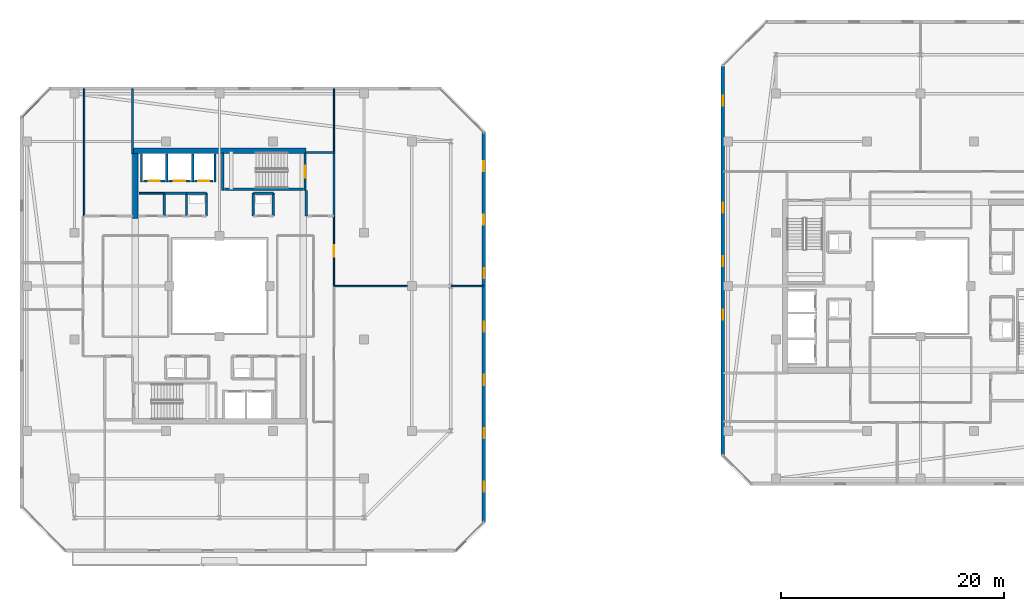
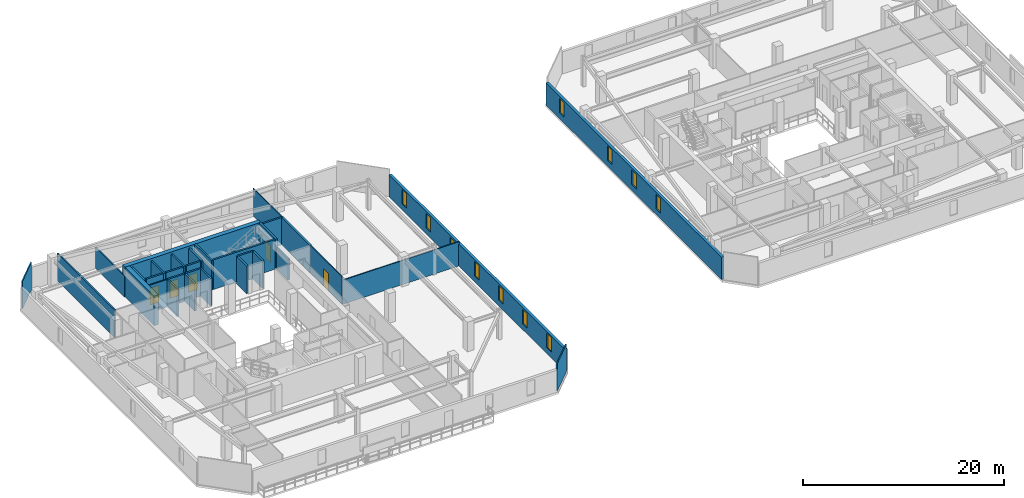
# One storey, part 23 of 34: 33 walls, 11 windows, 5 doors, 16 openings.
"""IFC4 building model written with IfcOpenShell, lengths in metres."""

import ifcopenshell
import ifcopenshell.guid

model = None  # the IFC model being written
_history = None  # IfcOwnerHistory: only IFC2X3 demands one
_inside = {}  # id of a spatial element -> (the spatial element, [elements in it])
_under = {}  # id of a project, library or spatial element -> (it, [spatial elements below it])
_declared = {}  # id of a project -> (the project, [libraries it declares])
_typed = {}  # id of a type object -> (the type object, [elements of that type])
_made_of = {}  # id of a material, layer set ... -> (it, [elements and type objects made of it])


def new_model(schema):
    """Start an empty IFC model of exactly this schema.

    Asked for "IFC4X3", IfcOpenShell would pick the latest addendum, in which some entities
    have other attributes; the version numbers below select the first issue.
    IFC2X3 requires an IfcOwnerHistory on every rooted entity: one is made here for all.
    """
    global model, _history
    if schema == "IFC4X3":
        model = ifcopenshell.file(schema_version=(4, 3, 0, 0))
    else:
        model = ifcopenshell.file(schema=schema)
    _inside.clear()
    _under.clear()
    _declared.clear()
    _typed.clear()
    _made_of.clear()
    _history = None
    if model.schema == "IFC2X3":
        org = make("IfcOrganization", Name="unknown")
        user = make(
            "IfcPersonAndOrganization",
            ThePerson=make("IfcPerson", FamilyName="unknown"),
            TheOrganization=org,
        )
        app = make(
            "IfcApplication",
            ApplicationDeveloper=org,
            Version="unknown",
            ApplicationFullName="unknown",
            ApplicationIdentifier="unknown",
        )
        _history = make(
            "IfcOwnerHistory",
            OwningUser=user,
            OwningApplication=app,
            ChangeAction="ADDED",
            CreationDate=0,
        )
    return model


def make(cls, **values):
    """One entity of the class cls with the attributes given. An attribute that is None is left unset."""
    return model.create_entity(
        cls, **{name: value for name, value in values.items() if value is not None}
    )


def rooted(cls, **values):
    """An entity with a GlobalId (a new one), such as an element, a storey or a relation."""
    return make(cls, GlobalId=ifcopenshell.guid.new(), OwnerHistory=_history, **values)


def si_unit(unit_type, name, prefix=None):
    """IfcSIUnit, for example si_unit("LENGTHUNIT", "METRE", prefix="MILLI")."""
    return make("IfcSIUnit", UnitType=unit_type, Prefix=prefix, Name=name)


def assignment(units):
    """IfcUnitAssignment: the units of a project."""
    return None if units is None else make("IfcUnitAssignment", Units=units)


def point(xyz):
    """IfcCartesianPoint."""
    return None if xyz is None else make("IfcCartesianPoint", Coordinates=xyz)


def direction(xyz):
    """IfcDirection."""
    return None if xyz is None else make("IfcDirection", DirectionRatios=xyz)


def frame(location, z_axis=None, x_axis=None):
    """IfcAxis2Placement3D, a coordinate frame: its origin and axes. An axis left out is left unset."""
    return make(
        "IfcAxis2Placement3D",
        Location=point(location),
        Axis=direction(z_axis),
        RefDirection=direction(x_axis),
    )


def frame_2d(location, x_axis=None):
    """IfcAxis2Placement2D, a coordinate frame in the plane: its origin and x axis."""
    return make(
        "IfcAxis2Placement2D", Location=point(location), RefDirection=direction(x_axis)
    )


def origin():
    """The frame at (0, 0, 0) with its axes left unset."""
    return frame((0.0, 0.0, 0.0))


def place(relative_to, where):
    """IfcLocalPlacement: puts the frame where relative to a parent placement (None: the world)."""
    return make(
        "IfcLocalPlacement", PlacementRelTo=relative_to, RelativePlacement=where
    )


def context(
    kind, dimensions, precision=None, world=None, true_north=None, identifier=None
):
    """IfcGeometricRepresentationContext, for example the 3D "Model" context."""
    return make(
        "IfcGeometricRepresentationContext",
        ContextIdentifier=identifier,
        ContextType=kind,
        CoordinateSpaceDimension=dimensions,
        Precision=precision,
        WorldCoordinateSystem=world,
        TrueNorth=true_north,
    )


def subcontext(parent, identifier, kind, view, scale=None):
    """IfcGeometricRepresentationSubContext, for example "Body" below "Model"."""
    return make(
        "IfcGeometricRepresentationSubContext",
        ContextIdentifier=identifier,
        ContextType=kind,
        ParentContext=parent,
        TargetScale=scale,
        TargetView=view,
    )


def project(units=None, contexts=None):
    """IfcProject with its units and contexts."""
    return rooted(
        "IfcProject",
        Name="project",
        RepresentationContexts=contexts,
        UnitsInContext=assignment(units),
    )


def spatial(cls, under=None, at=None, **own):
    """A site, building, storey or space (cls), placed at a placement, below another one or the project."""
    s = rooted(cls, ObjectPlacement=at, **own)
    if under is not None:
        _under.setdefault(under.id(), (under, []))[1].append(s)
    return s


def profile(cls, at=None, kind="AREA", **sizes):
    """A parametric profile (cls). Its sizes go by their IFC names, for example OverallWidth=200.0."""
    return make(cls, ProfileType=kind, Position=at, **sizes)


def rectangle(**sizes):
    """IfcRectangleProfileDef."""
    return profile("IfcRectangleProfileDef", **sizes)


def extrude(swept, where, along, depth):
    """IfcExtrudedAreaSolid: the profile swept, set in the frame where, extruded along a direction by depth."""
    return make(
        "IfcExtrudedAreaSolid",
        SweptArea=swept,
        Position=where,
        ExtrudedDirection=direction(along),
        Depth=depth,
    )


def shape(context_of_items, identifier, shape_type, items):
    """IfcShapeRepresentation: the items that make up one representation, for example the "Body"."""
    return make(
        "IfcShapeRepresentation",
        ContextOfItems=context_of_items,
        RepresentationIdentifier=identifier,
        RepresentationType=shape_type,
        Items=items,
    )


def material(Name=None, Category=None):
    """IfcMaterial."""
    return make("IfcMaterial", Name=Name, Category=Category)


def layer(
    of_material, thickness, ventilated=None, Name=None, Category=None, Priority=None
):
    """IfcMaterialLayer: one layer of a wall or slab, of a material (None: an air gap)."""
    return make(
        "IfcMaterialLayer",
        Material=of_material,
        LayerThickness=thickness,
        IsVentilated=ventilated,
        Name=Name,
        Category=Category,
        Priority=Priority,
    )


def layer_set(layers, Name=None):
    """IfcMaterialLayerSet."""
    return make("IfcMaterialLayerSet", MaterialLayers=layers, LayerSetName=Name)


def made_of(thing, what):
    """Note that an element or type object is made of a material, layer set ...; save() writes the relation."""
    if what is not None:
        _made_of.setdefault(what.id(), (what, []))[1].append(thing)
    return thing


def type_object(cls, material=None, **own):
    """A type object (cls), such as IfcWallType, which elements share."""
    return made_of(rooted(cls, **own), material)


def element(
    cls,
    number,
    at=None,
    inside=None,
    cuts=None,
    type_object=None,
    material=None,
    context=None,
    identifier="Body",
    shape_type=None,
    held_by="IfcProductDefinitionShape",
    body=None,
    shapes=None,
    **own,
):
    """One element of the class cls, such as IfcWall. Its Tag is "e" and its number.

    at: its placement. inside: the storey or other place that contains it. cuts: it is an
    opening in that element (IfcRelVoidsElement). A single representation is given by context,
    identifier, shape_type and body (its items); several are given by shapes. held_by: the class
    of the entity that holds the representations. save() writes the other relations.
    """
    e = rooted(cls, Tag="e%d" % number, ObjectPlacement=at, **own)
    if body is not None:
        shapes = [shape(context, identifier, shape_type, body)]
    if shapes is not None:
        e.Representation = make(held_by, Representations=shapes)
    if inside is not None:
        _inside.setdefault(inside.id(), (inside, []))[1].append(e)
    if cuts is not None:
        rooted(
            "IfcRelVoidsElement", RelatingBuildingElement=cuts, RelatedOpeningElement=e
        )
    if type_object is not None:
        _typed.setdefault(type_object.id(), (type_object, []))[1].append(e)
    return made_of(e, material)


def fill(opening, filler):
    """IfcRelFillsElement: the door or window that sits in an opening."""
    return rooted(
        "IfcRelFillsElement",
        RelatingOpeningElement=opening,
        RelatedBuildingElement=filler,
    )


def aggregate(whole, parts):
    """IfcRelAggregates: a whole, such as a stair, and the parts it consists of."""
    return rooted("IfcRelAggregates", RelatingObject=whole, RelatedObjects=parts)


def save(model, path):
    """Write the relations noted so far, then the file.

    IfcRelAggregates (storeys below a building ...), IfcRelContainedInSpatialStructure (elements
    in a storey), IfcRelDefinesByType, IfcRelAssociatesMaterial and IfcRelDeclares: one each for
    every whole, place, type object, material and project.
    """
    for whole, parts in _under.values():
        aggregate(whole, parts)
    for where, things in _inside.values():
        rooted(
            "IfcRelContainedInSpatialStructure",
            RelatedElements=things,
            RelatingStructure=where,
        )
    for kind, things in _typed.values():
        rooted("IfcRelDefinesByType", RelatedObjects=things, RelatingType=kind)
    for what, things in _made_of.values():
        rooted("IfcRelAssociatesMaterial", RelatedObjects=things, RelatingMaterial=what)
    for by, libraries in _declared.values():
        rooted("IfcRelDeclares", RelatingContext=by, RelatedDefinitions=libraries)
    model.write(path)


model = new_model("IFC4")

# Units and contexts
model_context = context("Model", 3, precision=1e-05, world=origin(), true_north=direction((0.0, 1.0)))
body_context = subcontext(model_context, "Body", "Model", "MODEL_VIEW")
ifc_project = project(units=[si_unit("LENGTHUNIT", "METRE"), si_unit("AREAUNIT", "SQUARE_METRE"), si_unit("VOLUMEUNIT", "CUBIC_METRE"), si_unit("PLANEANGLEUNIT", "RADIAN"), si_unit("MASSUNIT", "GRAM", prefix="KILO")], contexts=[model_context])

# Site, building, storey
site_placement = place(None, origin())
site = spatial("IfcSite", under=ifc_project, at=site_placement, CompositionType="ELEMENT")
building_placement = place(site_placement, origin())
building = spatial("IfcBuilding", under=site, at=building_placement, Name="Thornwick Lancets Civic Towers", CompositionType="ELEMENT")
storey_placement = place(building_placement, frame((0.0, 0.0, 258.300048828125)))
storey = spatial("IfcBuildingStorey", under=building, at=storey_placement, Name="L69", CompositionType="ELEMENT", Elevation=258.300048828125)

# Wall, opening, door
ifc_material_1 = material(Name="Concrete blockwork C40/50", Category="masonry")
ifc_layer_1 = layer(ifc_material_1, 0.199951171875, Name="Concrete blockwork C40/50")
ifc_layer_set_1 = layer_set([ifc_layer_1], Name="Concrete blockwork C40/50")
wall_type_1 = type_object("IfcWallType", Name="WALL_COMP_200", PredefinedType="STANDARD", material=ifc_layer_set_1)
wall_1_placement = place(storey_placement, frame((24.919921875, 36.449951171875, 0.0), z_axis=(0.0, 0.0, 1.0), x_axis=(-1.0, 0.0, 0.0)))
wall_1 = element("IfcWall", 1, at=wall_1_placement, inside=storey, type_object=wall_type_1, Name="L69 Hoistway Front Wall FL-A2", PredefinedType="STANDARD", context=body_context, shape_type="SweptSolid", body=[
    extrude(rectangle(XDim=1.639892578125, YDim=0.199951171875, at=frame_2d((0.81982421875, 0.0))), origin(), (0.0, 0.0, 1.0), 3.33984375),
])
opening_1_placement = place(wall_1_placement, frame((0.31005859375, 0.0, 0.0)))
opening_1 = element("IfcOpeningElement", 2, at=opening_1_placement, cuts=wall_1, Name="Opening LD-FL-A2", PredefinedType="OPENING", context=body_context, shape_type="SweptSolid", body=[
    extrude(rectangle(XDim=1.02001953125, YDim=2.06005859375, at=frame_2d((0.510009765625, 1.030029296875))), frame((0.0, 0.10986328125, 0.0), z_axis=(0.0, -1.0, 0.0), x_axis=(1.0, 0.0, 0.0)), (0.0, 0.0, 1.0), 0.219970703125),
])
ifc_material_2 = material(Name="Brushed bronze stainless steel", Category="steel")
door_type_1 = type_object("IfcDoorType", Name="DOOR_LIFT_SLIDE", OperationType="SLIDING_TO_LEFT", PredefinedType="DOOR", material=ifc_material_2)
door_1_placement = place(opening_1_placement, origin())
door_1 = element("IfcDoor", 3, at=door_1_placement, inside=storey, type_object=door_type_1, Name="L69 Sliding Lift Landing Door LD-FL-A2", OperationType="SLIDING_TO_LEFT", OverallHeight=2.06005859375, OverallWidth=1.02001953125, PredefinedType="DOOR", context=body_context, shape_type="SweptSolid", body=[
    extrude(rectangle(XDim=1.02001953125, YDim=2.06005859375, at=frame_2d((0.510009765625, 1.030029296875))), frame((0.0, 0.02490234375, 0.0), z_axis=(0.0, -1.0, 0.0), x_axis=(1.0, 0.0, 0.0)), (0.0, 0.0, 1.0), 0.050048828125),
])
fill(opening_1, door_1)

wall_2_placement = place(storey_placement, frame((22.919921875, 36.449951171875, 0.0), z_axis=(0.0, 0.0, 1.0), x_axis=(-1.0, 0.0, 0.0)))
wall_2 = element("IfcWall", 4, at=wall_2_placement, inside=storey, type_object=wall_type_1, Name="L69 Hoistway Front Wall PL-AH2", PredefinedType="STANDARD", context=body_context, shape_type="SweptSolid", body=[
    extrude(rectangle(XDim=1.989990234375, YDim=0.199951171875, at=frame_2d((0.9951171875, 0.0))), origin(), (0.0, 0.0, 1.0), 3.33984375),
])
opening_2_placement = place(wall_2_placement, frame((0.485107421875, 0.0, 0.0)))
opening_2 = element("IfcOpeningElement", 5, at=opening_2_placement, cuts=wall_2, Name="Opening LD-PL-AH2", PredefinedType="OPENING", context=body_context, shape_type="SweptSolid", body=[
    extrude(rectangle(XDim=1.02001953125, YDim=2.06005859375, at=frame_2d((0.510009765625, 1.030029296875))), frame((0.0, 0.10986328125, 0.0), z_axis=(0.0, -1.0, 0.0), x_axis=(1.0, 0.0, 0.0)), (0.0, 0.0, 1.0), 0.219970703125),
])
door_2_placement = place(opening_2_placement, origin())
door_2 = element("IfcDoor", 6, at=door_2_placement, inside=storey, type_object=door_type_1, Name="L69 Sliding Lift Landing Door LD-PL-AH2", OperationType="SLIDING_TO_LEFT", OverallHeight=2.06005859375, OverallWidth=1.02001953125, PredefinedType="DOOR", context=body_context, shape_type="SweptSolid", body=[
    extrude(rectangle(XDim=1.02001953125, YDim=2.06005859375, at=frame_2d((0.510009765625, 1.030029296875))), frame((0.0, 0.02490234375, 0.0), z_axis=(0.0, -1.0, 0.0), x_axis=(1.0, 0.0, 0.0)), (0.0, 0.0, 1.0), 0.050048828125),
])
fill(opening_2, door_2)

wall_3_placement = place(storey_placement, frame((20.6201171875, 36.449951171875, 0.0), z_axis=(0.0, 0.0, 1.0), x_axis=(-1.0, 0.0, 0.0)))
wall_3 = element("IfcWall", 7, at=wall_3_placement, inside=storey, type_object=wall_type_1, Name="L69 Hoistway Front Wall PL-AH3", PredefinedType="STANDARD", context=body_context, shape_type="SweptSolid", body=[
    extrude(rectangle(XDim=1.940185546875, YDim=0.199951171875, at=frame_2d((0.97021484375, 0.0))), origin(), (0.0, 0.0, 1.0), 3.33984375),
])
opening_3_placement = place(wall_3_placement, frame((0.4599609375, 0.0, 0.0)))
opening_3 = element("IfcOpeningElement", 8, at=opening_3_placement, cuts=wall_3, Name="Opening LD-PL-AH3", PredefinedType="OPENING", context=body_context, shape_type="SweptSolid", body=[
    extrude(rectangle(XDim=1.02001953125, YDim=2.06005859375, at=frame_2d((0.510009765625, 1.030029296875))), frame((0.0, 0.10986328125, 0.0), z_axis=(0.0, -1.0, 0.0), x_axis=(1.0, 0.0, 0.0)), (0.0, 0.0, 1.0), 0.219970703125),
])
door_3_placement = place(opening_3_placement, origin())
door_3 = element("IfcDoor", 9, at=door_3_placement, inside=storey, type_object=door_type_1, Name="L69 Sliding Lift Landing Door LD-PL-AH3", OperationType="SLIDING_TO_LEFT", OverallHeight=2.06005859375, OverallWidth=1.02001953125, PredefinedType="DOOR", context=body_context, shape_type="SweptSolid", body=[
    extrude(rectangle(XDim=1.02001953125, YDim=2.06005859375, at=frame_2d((0.510009765625, 1.030029296875))), frame((0.0, 0.02490234375, 0.0), z_axis=(0.0, -1.0, 0.0), x_axis=(1.0, 0.0, 0.0)), (0.0, 0.0, 1.0), 0.050048828125),
])
fill(opening_3, door_3)

# Walls
for number, where, z_axis, x_axis, name in (
    (10, (25.10009765625, 36.35205078125, 0.0), (0.0, 0.0, 1.0), (0.0, 1.0, 0.0), "L69 Hoistway Shaft Wall FL-A2 E"),
    (11, (23.10009765625, 36.35205078125, 0.0), (0.0, 0.0, 1.0), (0.0, 1.0, 0.0), "L69 Hoistway Shaft Wall FL-A2 W"),
    (12, (20.77490234375, 36.35205078125, 0.0), (0.0, 0.0, 1.0), (0.0, 1.0, 0.0), "L69 Hoistway Shaft Wall PL-AH2 W"),
    (13, (18.5, 36.35205078125, 0.0), (0.0, 0.0, 1.0), (0.0, 1.0, 0.0), "L69 Hoistway Shaft Wall PL-AH3 W"),
):
    element("IfcWall", number, at=place(storey_placement, frame(where, z_axis=z_axis, x_axis=x_axis)), inside=storey, type_object=wall_type_1, Name=name, PredefinedType="STANDARD", context=body_context, shape_type="SweptSolid", body=[
        extrude(rectangle(XDim=2.535888671875, YDim=0.199951171875, at=frame_2d((1.26806640625, 0.0))), origin(), (0.0, 0.0, 1.0), 3.33984375),
    ])
wall_4_placement = place(storey_placement, frame((35.800048828125, 33.300048828125, 0.0), z_axis=(0.0, 0.0, 1.0), x_axis=(0.0, 1.0, 0.0)))
element("IfcWall", 14, at=wall_4_placement, inside=storey, type_object=wall_type_1, Name="L69 Partition L69-A-FFLOB2 E2", PredefinedType="STANDARD", context=body_context, shape_type="SweptSolid", body=[
    extrude(rectangle(XDim=5.699951171875, YDim=0.199951171875, at=frame_2d((2.85009765625, 0.0))), origin(), (0.0, 0.0, 1.0), 3.33984375),
])
wall_5_placement = place(storey_placement, frame((35.800048828125, 39.0, 0.0), z_axis=(0.0, 0.0, 1.0), x_axis=(-1.0, 0.0, 0.0)))
element("IfcWall", 15, at=wall_5_placement, inside=storey, type_object=wall_type_1, Name="L69 Partition L69-A-FFLOB2 E3", PredefinedType="STANDARD", context=body_context, shape_type="SweptSolid", body=[
    extrude(rectangle(XDim=2.5, YDim=0.199951171875, at=frame_2d((1.25, 0.0))), origin(), (0.0, 0.0, 1.0), 3.33984375),
])
wall_6_placement = place(storey_placement, frame((33.300048828125, 35.60009765625, 0.0), z_axis=(0.0, 0.0, 1.0), x_axis=(0.0, -1.0, 0.0)))
element("IfcWall", 16, at=wall_6_placement, inside=storey, type_object=wall_type_1, Name="L69 Partition L69-A-FFLOB2 E4", PredefinedType="STANDARD", context=body_context, shape_type="SweptSolid", body=[
    extrude(rectangle(XDim=2.300048828125, YDim=0.199951171875, at=frame_2d((1.14990234375, 0.0))), origin(), (0.0, 0.0, 1.0), 2.544921875),
])
wall_7_placement = place(storey_placement, frame((24.35009765625, 33.300048828125, 0.0), z_axis=(0.0, 0.0, 1.0), x_axis=(0.0, 1.0, 0.0)))
element("IfcWall", 17, at=wall_7_placement, inside=storey, type_object=wall_type_1, Name="L69 Partition L69-A-DUCT2 E2", PredefinedType="STANDARD", context=body_context, shape_type="SweptSolid", body=[
    extrude(rectangle(XDim=2.050048828125, YDim=0.199951171875, at=frame_2d((1.02490234375, 0.0))), origin(), (0.0, 0.0, 1.0), 3.33984375),
])
wall_8_placement = place(storey_placement, frame((24.35009765625, 35.35009765625, 0.0), z_axis=(0.0, 0.0, 1.0), x_axis=(-1.0, 0.0, 0.0)))
element("IfcWall", 18, at=wall_8_placement, inside=storey, type_object=wall_type_1, Name="L69 Partition L69-A-DUCT2 E3", PredefinedType="STANDARD", context=body_context, shape_type="SweptSolid", body=[
    extrude(rectangle(XDim=1.800048828125, YDim=0.199951171875, at=frame_2d((0.89990234375, 0.0))), origin(), (0.0, 0.0, 1.0), 3.33984375),
])
for number, where, z_axis, x_axis, name in (
    (19, (22.550048828125, 35.35009765625, 0.0), (0.0, 0.0, 1.0), (0.0, -1.0, 0.0), "L69 Partition L69-A-DUCT2 E4"),
    (20, (30.35009765625, 33.300048828125, 0.0), (0.0, 0.0, 1.0), (0.0, 1.0, 0.0), "L69 Partition L69-A-RISER2 E2"),
):
    element("IfcWall", number, at=place(storey_placement, frame(where, z_axis=z_axis, x_axis=x_axis)), inside=storey, type_object=wall_type_1, Name=name, PredefinedType="STANDARD", context=body_context, shape_type="SweptSolid", body=[
        extrude(rectangle(XDim=2.050048828125, YDim=0.199951171875, at=frame_2d((1.02490234375, 0.0))), origin(), (0.0, 0.0, 1.0), 3.33984375),
    ])
wall_9_placement = place(storey_placement, frame((30.35009765625, 35.35009765625, 0.0), z_axis=(0.0, 0.0, 1.0), x_axis=(-1.0, 0.0, 0.0)))
element("IfcWall", 21, at=wall_9_placement, inside=storey, type_object=wall_type_1, Name="L69 Partition L69-A-RISER2 E3", PredefinedType="STANDARD", context=body_context, shape_type="SweptSolid", body=[
    extrude(rectangle(XDim=1.800048828125, YDim=0.199951171875, at=frame_2d((0.89990234375, 0.0))), origin(), (0.0, 0.0, 1.0), 3.33984375),
])
for number, where, z_axis, x_axis, name in (
    (22, (28.550048828125, 35.35009765625, 0.0), (0.0, 0.0, 1.0), (0.0, -1.0, 0.0), "L69 Partition L69-A-RISER2 E4"),
    (23, (20.550048828125, 33.300048828125, 0.0), (0.0, 0.0, 1.0), (0.0, 1.0, 0.0), "L69 Partition L69-A-STR E1"),
):
    element("IfcWall", number, at=place(storey_placement, frame(where, z_axis=z_axis, x_axis=x_axis)), inside=storey, type_object=wall_type_1, Name=name, PredefinedType="STANDARD", context=body_context, shape_type="SweptSolid", body=[
        extrude(rectangle(XDim=2.050048828125, YDim=0.199951171875, at=frame_2d((1.02490234375, 0.0))), origin(), (0.0, 0.0, 1.0), 3.33984375),
    ])
wall_10_placement = place(storey_placement, frame((20.550048828125, 35.35009765625, 0.0), z_axis=(0.0, 0.0, 1.0), x_axis=(1.0, 0.0, 0.0)))
element("IfcWall", 24, at=wall_10_placement, inside=storey, type_object=wall_type_1, Name="L69 Partition L69-A-STR E2", PredefinedType="STANDARD", context=body_context, shape_type="SweptSolid", body=[
    extrude(rectangle(XDim=2.0, YDim=0.199951171875, at=frame_2d((1.0, 0.0))), origin(), (0.0, 0.0, 1.0), 3.33984375),
])
ifc_material_3 = material(Name="Concrete C50/60", Category="concrete")
ifc_layer_2 = layer(ifc_material_3, 0.5, Name="Concrete C50/60")
ifc_layer_set_2 = layer_set([ifc_layer_2], Name="Concrete C50/60")
wall_type_2 = type_object("IfcWallType", Name="WALL_CORE_500", PredefinedType="SHEAR", material=ifc_layer_set_2)
wall_11_placement = place(storey_placement, frame((17.699951171875, 39.14990234375, 0.0), z_axis=(0.0, 0.0, 1.0), x_axis=(1.0, 0.0, 0.0)))
element("IfcWall", 25, at=wall_11_placement, inside=storey, type_object=wall_type_2, Name="L69 Split Core A2 Shear Wall N", PredefinedType="SHEAR", context=body_context, shape_type="SweptSolid", body=[
    extrude(rectangle(XDim=15.60009765625, YDim=0.5, at=frame_2d((7.800048828125, 0.0))), origin(), (0.0, 0.0, 1.0), 3.599853515625),
])
wall_12_placement = place(storey_placement, frame((17.949951171875, 33.10009765625, 0.0), z_axis=(0.0, 0.0, 1.0), x_axis=(0.0, 1.0, 0.0)))
element("IfcWall", 26, at=wall_12_placement, inside=storey, type_object=wall_type_2, Name="L69 Split Core A2 Shear Wall W", PredefinedType="SHEAR", context=body_context, shape_type="SweptSolid", body=[
    extrude(rectangle(XDim=5.7998046875, YDim=0.5, at=frame_2d((2.89990234375, 0.0))), origin(), (0.0, 0.0, 1.0), 3.599853515625),
])

# Wall, openings, windows
ifc_material_4 = material(Name="Insulated russet terracotta rainscreen on concrete C40/50", Category="masonry")
ifc_layer_3 = layer(ifc_material_4, 0.300048828125, Name="Insulated russet terracotta rainscreen on concrete C40/50")
ifc_layer_set_3 = layer_set([ifc_layer_3], Name="Insulated russet terracotta rainscreen on concrete C40/50")
wall_type_3 = type_object("IfcWallType", Name="WALL_EXT_RUSSET_300", PredefinedType="STANDARD", material=ifc_layer_set_3)
wall_13_placement = place(storey_placement, frame((49.2646484375, 5.818603515625, 0.0), z_axis=(0.0, 0.0, 1.0), x_axis=(-0.000132597301, 0.999999991209, 0.0)))
wall_13 = element("IfcWall", 27, at=wall_13_placement, inside=storey, type_object=wall_type_3, Name="L69 Tower A Terracotta Facade Wall E2", PredefinedType="STANDARD", context=body_context, shape_type="SweptSolid", body=[
    extrude(rectangle(XDim=34.983154296875, YDim=0.300048828125, at=frame_2d((17.49169921875, 0.0))), origin(), (0.0, 0.0, 1.0), 2.699951171875),
])
opening_4_placement = place(wall_13_placement, frame((2.699951171875, 0.0, 0.719970703125)))
opening_4 = element("IfcOpeningElement", 28, at=opening_4_placement, cuts=wall_13, Name="Opening WL-01", PredefinedType="OPENING", context=body_context, shape_type="SweptSolid", body=[
    extrude(rectangle(XDim=0.89990234375, YDim=1.75, at=frame_2d((0.449951171875, 0.875))), frame((0.0, 0.16015625, 0.0), z_axis=(0.0, -1.0, 0.0), x_axis=(1.0, 0.0, 0.0)), (0.0, 0.0, 1.0), 0.320068359375),
])
opening_5_placement = place(wall_13_placement, frame((7.5, 0.0, 0.719970703125)))
opening_5 = element("IfcOpeningElement", 29, at=opening_5_placement, cuts=wall_13, Name="Opening WL-01", PredefinedType="OPENING", context=body_context, shape_type="SweptSolid", body=[
    extrude(rectangle(XDim=0.89990234375, YDim=1.75, at=frame_2d((0.449951171875, 0.875))), frame((0.0, 0.16015625, 0.0), z_axis=(0.0, -1.0, 0.0), x_axis=(1.0, 0.0, 0.0)), (0.0, 0.0, 1.0), 0.320068359375),
])
opening_6_placement = place(wall_13_placement, frame((12.300048828125, 0.0, 0.719970703125)))
opening_6 = element("IfcOpeningElement", 30, at=opening_6_placement, cuts=wall_13, Name="Opening WL-01", PredefinedType="OPENING", context=body_context, shape_type="SweptSolid", body=[
    extrude(rectangle(XDim=0.89990234375, YDim=1.75, at=frame_2d((0.449951171875, 0.875))), frame((0.0, 0.16015625, 0.0), z_axis=(0.0, -1.0, 0.0), x_axis=(1.0, 0.0, 0.0)), (0.0, 0.0, 1.0), 0.320068359375),
])
opening_7_placement = place(wall_13_placement, frame((17.10009765625, 0.0, 0.719970703125)))
opening_7 = element("IfcOpeningElement", 31, at=opening_7_placement, cuts=wall_13, Name="Opening WL-01", PredefinedType="OPENING", context=body_context, shape_type="SweptSolid", body=[
    extrude(rectangle(XDim=0.89990234375, YDim=1.75, at=frame_2d((0.449951171875, 0.875))), frame((0.0, 0.16015625, 0.0), z_axis=(0.0, -1.0, 0.0), x_axis=(1.0, 0.0, 0.0)), (0.0, 0.0, 1.0), 0.320068359375),
])
opening_8_placement = place(wall_13_placement, frame((21.89990234375, 0.0, 0.719970703125)))
opening_8 = element("IfcOpeningElement", 32, at=opening_8_placement, cuts=wall_13, Name="Opening WL-01", PredefinedType="OPENING", context=body_context, shape_type="SweptSolid", body=[
    extrude(rectangle(XDim=0.89990234375, YDim=1.75, at=frame_2d((0.449951171875, 0.875))), frame((0.0, 0.16015625, 0.0), z_axis=(0.0, -1.0, 0.0), x_axis=(1.0, 0.0, 0.0)), (0.0, 0.0, 1.0), 0.320068359375),
])
opening_9_placement = place(wall_13_placement, frame((26.699951171875, 0.0, 0.719970703125)))
opening_9 = element("IfcOpeningElement", 33, at=opening_9_placement, cuts=wall_13, Name="Opening WL-01", PredefinedType="OPENING", context=body_context, shape_type="SweptSolid", body=[
    extrude(rectangle(XDim=0.89990234375, YDim=1.75, at=frame_2d((0.449951171875, 0.875))), frame((0.0, 0.16015625, 0.0), z_axis=(0.0, -1.0, 0.0), x_axis=(1.0, 0.0, 0.0)), (0.0, 0.0, 1.0), 0.320068359375),
])
opening_10_placement = place(wall_13_placement, frame((31.5, 0.0, 0.719970703125)))
opening_10 = element("IfcOpeningElement", 34, at=opening_10_placement, cuts=wall_13, Name="Opening WL-01", PredefinedType="OPENING", context=body_context, shape_type="SweptSolid", body=[
    extrude(rectangle(XDim=0.89990234375, YDim=1.75, at=frame_2d((0.449951171875, 0.875))), frame((0.0, 0.16015625, 0.0), z_axis=(0.0, -1.0, 0.0), x_axis=(1.0, 0.0, 0.0)), (0.0, 0.0, 1.0), 0.320068359375),
])
ifc_material_5 = material(Name="Clear low-e double glazing in bronze frame", Category="glass")
window_type = type_object("IfcWindowType", Name="WIN_LANCET_900", PartitioningType="SINGLE_PANEL", PredefinedType="WINDOW", material=ifc_material_5)
window_1_placement = place(opening_4_placement, origin())
window_1 = element("IfcWindow", 35, at=window_1_placement, inside=storey, type_object=window_type, Name="L69 Tower A Staggered Lancet Window E2-1", OverallHeight=1.75, OverallWidth=0.89990234375, PartitioningType="SINGLE_PANEL", PredefinedType="WINDOW", context=body_context, shape_type="SweptSolid", body=[
    extrude(rectangle(XDim=0.89990234375, YDim=1.75, at=frame_2d((0.449951171875, 0.875))), frame((0.0, 0.030029296875, 0.0), z_axis=(0.0, -1.0, 0.0), x_axis=(1.0, 0.0, 0.0)), (0.0, 0.0, 1.0), 0.06005859375),
])
fill(opening_4, window_1)
window_2_placement = place(opening_5_placement, origin())
window_2 = element("IfcWindow", 36, at=window_2_placement, inside=storey, type_object=window_type, Name="L69 Tower A Staggered Lancet Window E2-2", OverallHeight=1.75, OverallWidth=0.89990234375, PartitioningType="SINGLE_PANEL", PredefinedType="WINDOW", context=body_context, shape_type="SweptSolid", body=[
    extrude(rectangle(XDim=0.89990234375, YDim=1.75, at=frame_2d((0.449951171875, 0.875))), frame((0.0, 0.030029296875, 0.0), z_axis=(0.0, -1.0, 0.0), x_axis=(1.0, 0.0, 0.0)), (0.0, 0.0, 1.0), 0.06005859375),
])
fill(opening_5, window_2)
window_3_placement = place(opening_6_placement, origin())
window_3 = element("IfcWindow", 37, at=window_3_placement, inside=storey, type_object=window_type, Name="L69 Tower A Staggered Lancet Window E2-3", OverallHeight=1.75, OverallWidth=0.89990234375, PartitioningType="SINGLE_PANEL", PredefinedType="WINDOW", context=body_context, shape_type="SweptSolid", body=[
    extrude(rectangle(XDim=0.89990234375, YDim=1.75, at=frame_2d((0.449951171875, 0.875))), frame((0.0, 0.030029296875, 0.0), z_axis=(0.0, -1.0, 0.0), x_axis=(1.0, 0.0, 0.0)), (0.0, 0.0, 1.0), 0.06005859375),
])
fill(opening_6, window_3)
window_4_placement = place(opening_7_placement, origin())
window_4 = element("IfcWindow", 38, at=window_4_placement, inside=storey, type_object=window_type, Name="L69 Tower A Staggered Lancet Window E2-4", OverallHeight=1.75, OverallWidth=0.89990234375, PartitioningType="SINGLE_PANEL", PredefinedType="WINDOW", context=body_context, shape_type="SweptSolid", body=[
    extrude(rectangle(XDim=0.89990234375, YDim=1.75, at=frame_2d((0.449951171875, 0.875))), frame((0.0, 0.030029296875, 0.0), z_axis=(0.0, -1.0, 0.0), x_axis=(1.0, 0.0, 0.0)), (0.0, 0.0, 1.0), 0.06005859375),
])
fill(opening_7, window_4)
window_5_placement = place(opening_8_placement, origin())
window_5 = element("IfcWindow", 39, at=window_5_placement, inside=storey, type_object=window_type, Name="L69 Tower A Staggered Lancet Window E2-5", OverallHeight=1.75, OverallWidth=0.89990234375, PartitioningType="SINGLE_PANEL", PredefinedType="WINDOW", context=body_context, shape_type="SweptSolid", body=[
    extrude(rectangle(XDim=0.89990234375, YDim=1.75, at=frame_2d((0.449951171875, 0.875))), frame((0.0, 0.030029296875, 0.0), z_axis=(0.0, -1.0, 0.0), x_axis=(1.0, 0.0, 0.0)), (0.0, 0.0, 1.0), 0.06005859375),
])
fill(opening_8, window_5)
window_6_placement = place(opening_9_placement, origin())
window_6 = element("IfcWindow", 40, at=window_6_placement, inside=storey, type_object=window_type, Name="L69 Tower A Staggered Lancet Window E2-6", OverallHeight=1.75, OverallWidth=0.89990234375, PartitioningType="SINGLE_PANEL", PredefinedType="WINDOW", context=body_context, shape_type="SweptSolid", body=[
    extrude(rectangle(XDim=0.89990234375, YDim=1.75, at=frame_2d((0.449951171875, 0.875))), frame((0.0, 0.030029296875, 0.0), z_axis=(0.0, -1.0, 0.0), x_axis=(1.0, 0.0, 0.0)), (0.0, 0.0, 1.0), 0.06005859375),
])
fill(opening_9, window_6)
window_7_placement = place(opening_10_placement, origin())
window_7 = element("IfcWindow", 41, at=window_7_placement, inside=storey, type_object=window_type, Name="L69 Tower A Staggered Lancet Window E2-7", OverallHeight=1.75, OverallWidth=0.89990234375, PartitioningType="SINGLE_PANEL", PredefinedType="WINDOW", context=body_context, shape_type="SweptSolid", body=[
    extrude(rectangle(XDim=0.89990234375, YDim=1.75, at=frame_2d((0.449951171875, 0.875))), frame((0.0, 0.030029296875, 0.0), z_axis=(0.0, -1.0, 0.0), x_axis=(1.0, 0.0, 0.0)), (0.0, 0.0, 1.0), 0.06005859375),
])
fill(opening_10, window_7)

wall_14_placement = place(storey_placement, frame((70.739990234375, 46.8017578125, 0.0), z_axis=(0.0, 0.0, 1.0), x_axis=(-0.000132597301, -0.999999991209, 0.0)))
wall_14 = element("IfcWall", 42, at=wall_14_placement, inside=storey, type_object=wall_type_3, Name="L69 Tower B Terracotta Facade Wall E6", PredefinedType="STANDARD", context=body_context, shape_type="SweptSolid", body=[
    extrude(rectangle(XDim=34.983154296875, YDim=0.300048828125, at=frame_2d((17.49169921875, 0.0))), origin(), (0.0, 0.0, 1.0), 2.699951171875),
])
opening_11_placement = place(wall_14_placement, frame((2.699951171875, 0.0, 0.719970703125)))
opening_11 = element("IfcOpeningElement", 43, at=opening_11_placement, cuts=wall_14, Name="Opening WL-01", PredefinedType="OPENING", context=body_context, shape_type="SweptSolid", body=[
    extrude(rectangle(XDim=0.89990234375, YDim=1.75, at=frame_2d((0.449951171875, 0.875))), frame((0.0, 0.16015625, 0.0), z_axis=(0.0, -1.0, 0.0), x_axis=(1.0, 0.0, 0.0)), (0.0, 0.0, 1.0), 0.320068359375),
])
opening_12_placement = place(wall_14_placement, frame((12.300048828125, 0.0, 0.719970703125)))
opening_12 = element("IfcOpeningElement", 44, at=opening_12_placement, cuts=wall_14, Name="Opening WL-01", PredefinedType="OPENING", context=body_context, shape_type="SweptSolid", body=[
    extrude(rectangle(XDim=0.89990234375, YDim=1.75, at=frame_2d((0.449951171875, 0.875))), frame((0.0, 0.16015625, 0.0), z_axis=(0.0, -1.0, 0.0), x_axis=(1.0, 0.0, 0.0)), (0.0, 0.0, 1.0), 0.320068359375),
])
opening_13_placement = place(wall_14_placement, frame((17.10009765625, 0.0, 0.719970703125)))
opening_13 = element("IfcOpeningElement", 45, at=opening_13_placement, cuts=wall_14, Name="Opening WL-01", PredefinedType="OPENING", context=body_context, shape_type="SweptSolid", body=[
    extrude(rectangle(XDim=0.89990234375, YDim=1.75, at=frame_2d((0.449951171875, 0.875))), frame((0.0, 0.16015625, 0.0), z_axis=(0.0, -1.0, 0.0), x_axis=(1.0, 0.0, 0.0)), (0.0, 0.0, 1.0), 0.320068359375),
])
opening_14_placement = place(wall_14_placement, frame((21.89990234375, 0.0, 0.719970703125)))
opening_14 = element("IfcOpeningElement", 46, at=opening_14_placement, cuts=wall_14, Name="Opening WL-01", PredefinedType="OPENING", context=body_context, shape_type="SweptSolid", body=[
    extrude(rectangle(XDim=0.89990234375, YDim=1.75, at=frame_2d((0.449951171875, 0.875))), frame((0.0, 0.16015625, 0.0), z_axis=(0.0, -1.0, 0.0), x_axis=(1.0, 0.0, 0.0)), (0.0, 0.0, 1.0), 0.320068359375),
])
window_8_placement = place(opening_11_placement, origin())
window_8 = element("IfcWindow", 47, at=window_8_placement, inside=storey, type_object=window_type, Name="L69 Tower B Staggered Lancet Window E6-1", OverallHeight=1.75, OverallWidth=0.89990234375, PartitioningType="SINGLE_PANEL", PredefinedType="WINDOW", context=body_context, shape_type="SweptSolid", body=[
    extrude(rectangle(XDim=0.89990234375, YDim=1.75, at=frame_2d((0.449951171875, 0.875))), frame((0.0, 0.030029296875, 0.0), z_axis=(0.0, -1.0, 0.0), x_axis=(1.0, 0.0, 0.0)), (0.0, 0.0, 1.0), 0.06005859375),
])
fill(opening_11, window_8)
window_9_placement = place(opening_12_placement, origin())
window_9 = element("IfcWindow", 48, at=window_9_placement, inside=storey, type_object=window_type, Name="L69 Tower B Staggered Lancet Window E6-2", OverallHeight=1.75, OverallWidth=0.89990234375, PartitioningType="SINGLE_PANEL", PredefinedType="WINDOW", context=body_context, shape_type="SweptSolid", body=[
    extrude(rectangle(XDim=0.89990234375, YDim=1.75, at=frame_2d((0.449951171875, 0.875))), frame((0.0, 0.030029296875, 0.0), z_axis=(0.0, -1.0, 0.0), x_axis=(1.0, 0.0, 0.0)), (0.0, 0.0, 1.0), 0.06005859375),
])
fill(opening_12, window_9)
window_10_placement = place(opening_13_placement, origin())
window_10 = element("IfcWindow", 49, at=window_10_placement, inside=storey, type_object=window_type, Name="L69 Tower B Staggered Lancet Window E6-3", OverallHeight=1.75, OverallWidth=0.89990234375, PartitioningType="SINGLE_PANEL", PredefinedType="WINDOW", context=body_context, shape_type="SweptSolid", body=[
    extrude(rectangle(XDim=0.89990234375, YDim=1.75, at=frame_2d((0.449951171875, 0.875))), frame((0.0, 0.030029296875, 0.0), z_axis=(0.0, -1.0, 0.0), x_axis=(1.0, 0.0, 0.0)), (0.0, 0.0, 1.0), 0.06005859375),
])
fill(opening_13, window_10)
window_11_placement = place(opening_14_placement, origin())
window_11 = element("IfcWindow", 50, at=window_11_placement, inside=storey, type_object=window_type, Name="L69 Tower B Staggered Lancet Window E6-4", OverallHeight=1.75, OverallWidth=0.89990234375, PartitioningType="SINGLE_PANEL", PredefinedType="WINDOW", context=body_context, shape_type="SweptSolid", body=[
    extrude(rectangle(XDim=0.89990234375, YDim=1.75, at=frame_2d((0.449951171875, 0.875))), frame((0.0, 0.030029296875, 0.0), z_axis=(0.0, -1.0, 0.0), x_axis=(1.0, 0.0, 0.0)), (0.0, 0.0, 1.0), 0.06005859375),
])
fill(opening_14, window_11)

# Walls
ifc_material_6 = material(Name="Acoustic gypsum board partition")
ifc_layer_4 = layer(ifc_material_6, 0.1201171875, Name="Acoustic gypsum board partition")
ifc_layer_set_4 = layer_set([ifc_layer_4], Name="Acoustic gypsum board partition")
wall_type_4 = type_object("IfcWallType", Name="WALL_PART_120", PredefinedType="PARTITIONING", material=ifc_layer_set_4)
wall_15_placement = place(storey_placement, frame((7.780029296875, 42.225341796875, 0.0), z_axis=(0.0, 0.0, 1.0), x_axis=(0.707106781187, 0.707106781187, 0.0)))
element("IfcWall", 51, at=wall_15_placement, inside=storey, type_object=wall_type_4, Name="L69 Partition L69-A-W2B E2", PredefinedType="PARTITIONING", context=body_context, shape_type="SweptSolid", body=[
    extrude(rectangle(XDim=3.52783203125, YDim=0.1201171875, at=frame_2d((1.763916015625, 0.0))), origin(), (0.0, 0.0, 1.0), 3.33984375),
])
wall_16_placement = place(storey_placement, frame((35.800048828125, 27.0, 0.0), z_axis=(0.0, 0.0, 1.0), x_axis=(1.0, 0.0, 0.0)))
element("IfcWall", 52, at=wall_16_placement, inside=storey, type_object=wall_type_4, Name="L69 Partition L69-A-E1 E4", PredefinedType="PARTITIONING", context=body_context, shape_type="SweptSolid", body=[
    extrude(rectangle(XDim=13.419921875, YDim=0.1201171875, at=frame_2d((6.7099609375, 0.0))), origin(), (0.0, 0.0, 1.0), 2.93212890625),
])
wall_17_placement = place(storey_placement, frame((49.219970703125, 5.774658203125, 0.0), z_axis=(0.0, 0.0, 1.0), x_axis=(-0.707106781187, -0.707106781187, 0.0)))
element("IfcWall", 53, at=wall_17_placement, inside=storey, type_object=wall_type_4, Name="L69 Partition L69-A-E1 E6", PredefinedType="PARTITIONING", context=body_context, shape_type="SweptSolid", body=[
    extrude(rectangle(XDim=3.52783203125, YDim=0.1201171875, at=frame_2d((1.763916015625, 0.0))), origin(), (0.0, 0.0, 1.0), 3.33984375),
])
wall_18_placement = place(storey_placement, frame((35.800048828125, 39.0, 0.0), z_axis=(0.0, 0.0, 1.0), x_axis=(0.0, 1.0, 0.0)))
element("IfcWall", 54, at=wall_18_placement, inside=storey, type_object=wall_type_4, Name="L69 Partition L69-A-E2 E2", PredefinedType="PARTITIONING", context=body_context, shape_type="SweptSolid", body=[
    extrude(rectangle(XDim=5.719970703125, YDim=0.1201171875, at=frame_2d((2.85986328125, 0.0))), origin(), (0.0, 0.0, 1.0), 3.33984375),
])

# Wall, opening, door
wall_19_placement = place(storey_placement, frame((35.800048828125, 27.0, 0.0), z_axis=(0.0, 0.0, 1.0), x_axis=(0.0, 1.0, 0.0)))
wall_19 = element("IfcWall", 55, at=wall_19_placement, inside=storey, type_object=wall_type_4, Name="L69 Partition L69-A-E2 E7", PredefinedType="PARTITIONING", context=body_context, shape_type="SweptSolid", body=[
    extrude(rectangle(XDim=6.300048828125, YDim=0.1201171875, at=frame_2d((3.14990234375, 0.0))), origin(), (0.0, 0.0, 1.0), 3.33984375),
])
opening_15_placement = place(wall_19_placement, frame((2.625, 0.0, 0.0)))
opening_15 = element("IfcOpeningElement", 56, at=opening_15_placement, cuts=wall_19, Name="Opening D-L69-3164", PredefinedType="OPENING", context=body_context, shape_type="SweptSolid", body=[
    extrude(rectangle(XDim=1.050048828125, YDim=2.10009765625, at=frame_2d((0.52490234375, 1.050048828125))), frame((0.0, 0.070068359375, 0.0), z_axis=(0.0, -1.0, 0.0), x_axis=(1.0, 0.0, 0.0)), (0.0, 0.0, 1.0), 0.14013671875),
])
ifc_material_7 = material(Name="Glazed European oak executive doorset")
door_type_2 = type_object("IfcDoorType", Name="DOOR_OFFICE_1050", OperationType="NOTDEFINED", PredefinedType="DOOR", material=ifc_material_7)
door_4_placement = place(opening_15_placement, origin())
door_4 = element("IfcDoor", 57, at=door_4_placement, inside=storey, type_object=door_type_2, Name="L69 Tower A Visitors Reception and Waiting Door", OperationType="SINGLE_SWING_LEFT", OverallHeight=2.10009765625, OverallWidth=1.050048828125, PredefinedType="DOOR", context=body_context, shape_type="SweptSolid", body=[
    extrude(rectangle(XDim=1.050048828125, YDim=2.10009765625, at=frame_2d((0.52490234375, 1.050048828125))), frame((0.0, 0.02490234375, 0.0), z_axis=(0.0, -1.0, 0.0), x_axis=(1.0, 0.0, 0.0)), (0.0, 0.0, 1.0), 0.050048828125),
])
fill(opening_15, door_4)

# Walls
ifc_material_8 = material(Name="Twin-stud acoustic gypsum board")
ifc_layer_5 = layer(ifc_material_8, 0.14990234375, Name="Twin-stud acoustic gypsum board")
ifc_layer_set_5 = layer_set([ifc_layer_5], Name="Twin-stud acoustic gypsum board")
wall_type_5 = type_object("IfcWallType", Name="WALL_PART_150", PredefinedType="PARTITIONING", material=ifc_layer_set_5)
wall_20_placement = place(storey_placement, frame((20.550048828125, 35.35009765625, 0.0), z_axis=(0.0, 0.0, 1.0), x_axis=(-1.0, 0.0, 0.0)))
element("IfcWall", 58, at=wall_20_placement, inside=storey, type_object=wall_type_5, Name="L69 Partition L69-A-AWC E3", PredefinedType="PARTITIONING", context=body_context, shape_type="SweptSolid", body=[
    extrude(rectangle(XDim=2.25, YDim=0.14990234375, at=frame_2d((1.125, 0.0))), origin(), (0.0, 0.0, 1.0), 3.33984375),
])
wall_21_placement = place(storey_placement, frame((13.35009765625, 33.300048828125, 0.0), z_axis=(0.0, 0.0, 1.0), x_axis=(0.0, 1.0, 0.0)))
element("IfcWall", 59, at=wall_21_placement, inside=storey, type_object=wall_type_5, Name="L69 Partition L69-A-RECLAIM-M1 E1", PredefinedType="PARTITIONING", context=body_context, shape_type="SweptSolid", body=[
    extrude(rectangle(XDim=11.419921875, YDim=0.14990234375, at=frame_2d((5.7099609375, 0.0))), origin(), (0.0, 0.0, 1.0), 3.33984375),
])
wall_22_placement = place(storey_placement, frame((17.699951171875, 44.719970703125, 0.0), z_axis=(0.0, 0.0, 1.0), x_axis=(0.0, -1.0, 0.0)))
element("IfcWall", 60, at=wall_22_placement, inside=storey, type_object=wall_type_5, Name="L69 Partition L69-A-RECLAIM-M1 E3", PredefinedType="PARTITIONING", context=body_context, shape_type="SweptSolid", body=[
    extrude(rectangle(XDim=5.820068359375, YDim=0.14990234375, at=frame_2d((2.91015625, 0.0))), origin(), (0.0, 0.0, 1.0), 2.544921875),
])

# Wall, opening, door
ifc_material_9 = material(Name="Concrete C40/50", Category="concrete")
ifc_layer_6 = layer(ifc_material_9, 0.199951171875, Name="Concrete C40/50")
ifc_layer_set_6 = layer_set([ifc_layer_6], Name="Concrete C40/50")
wall_type_6 = type_object("IfcWallType", Name="WALL_SHAFT_200", PredefinedType="SHEAR", material=ifc_layer_set_6)
wall_23_placement = place(storey_placement, frame((33.199951171875, 38.949951171875, 0.0), z_axis=(0.0, 0.0, 1.0), x_axis=(0.0, -1.0, 0.0)))
wall_23 = element("IfcWall", 61, at=wall_23_placement, inside=storey, type_object=wall_type_6, Name="L69 ST-A2 Fire Stair Core Wall NEAR", PredefinedType="SHEAR", context=body_context, shape_type="SweptSolid", body=[
    extrude(rectangle(XDim=3.349853515625, YDim=0.199951171875, at=frame_2d((1.6748046875, 0.0))), origin(), (0.0, 0.0, 1.0), 3.599853515625),
])
opening_16_placement = place(wall_23_placement, frame((1.125, 0.0, 0.0)))
opening_16 = element("IfcOpeningElement", 62, at=opening_16_placement, cuts=wall_23, Name="Opening D-ST-A2-L69", PredefinedType="OPENING", context=body_context, shape_type="SweptSolid", body=[
    extrude(rectangle(XDim=1.10009765625, YDim=2.10009765625, at=frame_2d((0.550048828125, 1.050048828125))), frame((0.0, 0.10986328125, 0.0), z_axis=(0.0, -1.0, 0.0), x_axis=(1.0, 0.0, 0.0)), (0.0, 0.0, 1.0), 0.219970703125),
])
ifc_material_10 = material(Name="Fire-resisting steel and hardwood", Category="steel")
door_type_3 = type_object("IfcDoorType", Name="DOOR_STAIR_FD60", OperationType="NOTDEFINED", PredefinedType="DOOR", material=ifc_material_10)
door_5_placement = place(opening_16_placement, origin())
door_5 = element("IfcDoor", 63, at=door_5_placement, inside=storey, type_object=door_type_3, Name="L69 ST-A2 Exit Stair Door", OperationType="SINGLE_SWING_LEFT", OverallHeight=2.10009765625, OverallWidth=1.10009765625, PredefinedType="DOOR", context=body_context, shape_type="SweptSolid", body=[
    extrude(rectangle(XDim=1.10009765625, YDim=2.10009765625, at=frame_2d((0.550048828125, 1.050048828125))), frame((0.0, 0.02490234375, 0.0), z_axis=(0.0, -1.0, 0.0), x_axis=(1.0, 0.0, 0.0)), (0.0, 0.0, 1.0), 0.050048828125),
])
fill(opening_16, door_5)

# Walls
wall_24_placement = place(storey_placement, frame((25.800048828125, 35.60009765625, 0.0), z_axis=(0.0, 0.0, 1.0), x_axis=(0.0, 1.0, 0.0)))
element("IfcWall", 64, at=wall_24_placement, inside=storey, type_object=wall_type_6, Name="L69 ST-A2 Fire Stair Core Wall FAR", PredefinedType="SHEAR", context=body_context, shape_type="SweptSolid", body=[
    extrude(rectangle(XDim=3.349853515625, YDim=0.199951171875, at=frame_2d((1.6748046875, 0.0))), origin(), (0.0, 0.0, 1.0), 3.599853515625),
])
wall_25_placement = place(storey_placement, frame((25.949951171875, 35.702880859375, 0.0), z_axis=(0.0, 0.0, 1.0), x_axis=(1.0, 0.0, 0.0)))
element("IfcWall", 65, at=wall_25_placement, inside=storey, type_object=wall_type_6, Name="L69 ST-A2 Fire Stair Core Wall RIGHT", PredefinedType="SHEAR", context=body_context, shape_type="SweptSolid", body=[
    extrude(rectangle(XDim=7.10009765625, YDim=0.199951171875, at=frame_2d((3.550048828125, 0.0))), origin(), (0.0, 0.0, 1.0), 3.599853515625),
])

save(model, "model.ifc")
